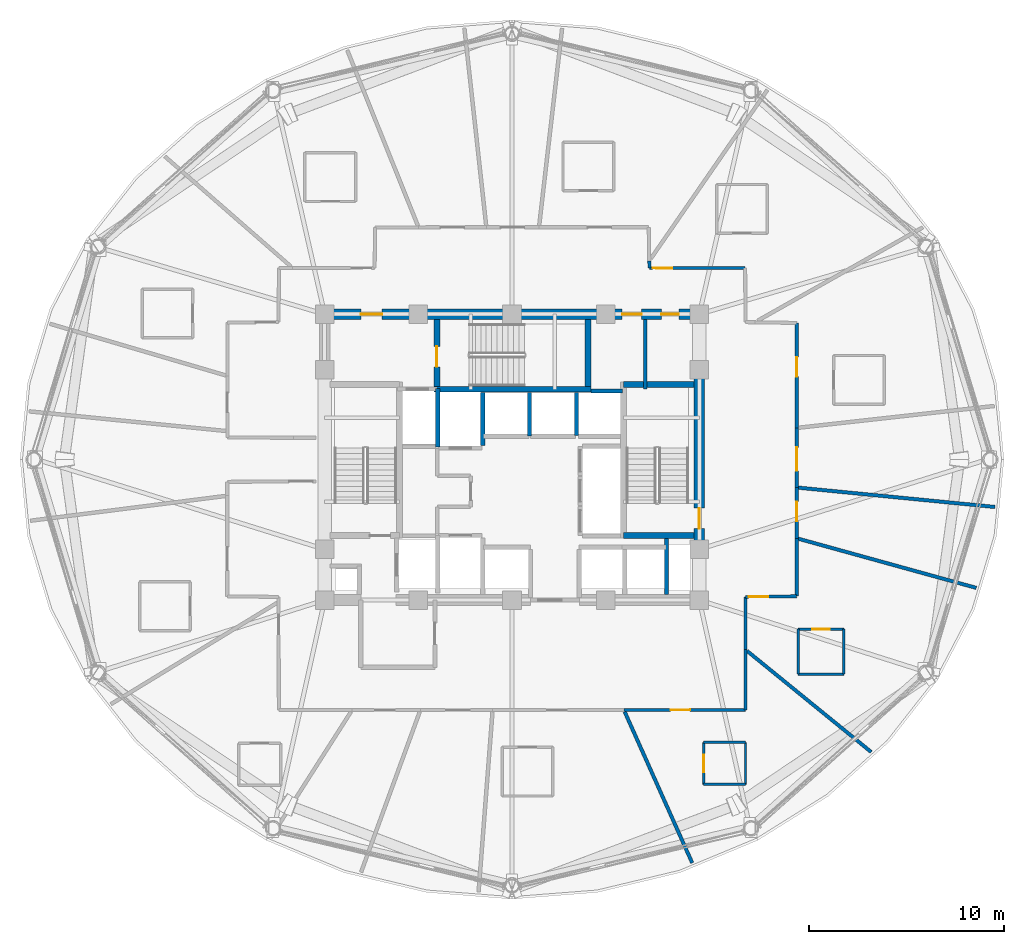
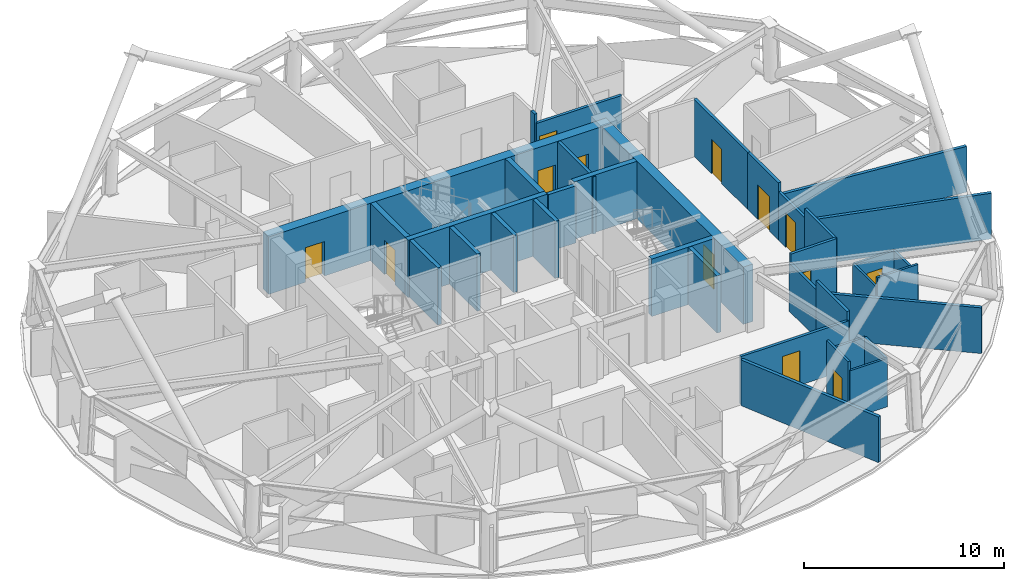
# One storey, part 9 of 13: 36 walls, 13 doors, 13 openings.
"""IFC4 building model written with IfcOpenShell, lengths in metres."""

from ifc_helpers import new_model, si_unit, direction, frame, frame_2d, origin, place, context, subcontext, project, spatial, rectangle, extrude, material, layer, layer_set, type_object, element, fill, save


model = new_model("IFC4")

# Units and contexts
model_context = context("Model", 3, precision=1e-05, world=origin(), true_north=direction((0.0, 1.0)))
body_context = subcontext(model_context, "Body", "Model", "MODEL_VIEW")
ifc_project = project(units=[si_unit("LENGTHUNIT", "METRE"), si_unit("AREAUNIT", "SQUARE_METRE"), si_unit("VOLUMEUNIT", "CUBIC_METRE"), si_unit("PLANEANGLEUNIT", "RADIAN"), si_unit("MASSUNIT", "GRAM", prefix="KILO")], contexts=[model_context])

# Site, building, storey
site_placement = place(None, origin())
site = spatial("IfcSite", under=ifc_project, at=site_placement, CompositionType="ELEMENT")
building_placement = place(site_placement, origin())
building = spatial("IfcBuilding", under=site, at=building_placement, Name="Vantalir Tower", CompositionType="ELEMENT")
storey_placement = place(building_placement, frame((0.0, 0.0, 172.199951171875)))
storey = spatial("IfcBuildingStorey", under=building, at=storey_placement, Name="L43", CompositionType="ELEMENT", Elevation=172.199951171875)

# Walls
ifc_material_1 = material(Name="Moisture-resistant en-suite partition", Category="gypsum")
ifc_layer_1 = layer(ifc_material_1, 0.125)
ifc_layer_set_1 = layer_set([ifc_layer_1], Name="Moisture-resistant en-suite partition")
wall_type_1 = type_object("IfcWallType", Name="WL-BATH-125", PredefinedType="PARTITIONING", material=ifc_layer_set_1)
for number, where, z_axis, x_axis, name in (
    (1, (41.31591796875, 8.35400390625, 0.0), (0.0, 0.0, 1.0), (1.0, 0.0, 0.0), "L43 En-suite 15 South Wall"),
    (2, (41.31591796875, 10.50390625, 0.0), (0.0, 0.0, 1.0), (1.0, 0.0, 0.0), "L43 En-suite 15 North Wall"),
):
    element("IfcWall", number, at=place(storey_placement, frame(where, z_axis=z_axis, x_axis=x_axis)), inside=storey, type_object=wall_type_1, Name=name, PredefinedType="PARTITIONING", context=body_context, shape_type="SweptSolid", body=[
        extrude(rectangle(XDim=2.150146484375, YDim=0.125, at=frame_2d((1.0751953125, 0.0))), origin(), (0.0, 0.0, 1.0), 2.93603515625),
    ])

# Wall, opening, door
wall_1_placement = place(storey_placement, frame((41.31591796875, 8.35400390625, 0.0), z_axis=(0.0, 0.0, 1.0), x_axis=(0.0, 1.0, 0.0)))
wall_1 = element("IfcWall", 3, at=wall_1_placement, inside=storey, type_object=wall_type_1, Name="L43 En-suite 15 West Wall", PredefinedType="PARTITIONING", context=body_context, shape_type="SweptSolid", body=[
    extrude(rectangle(XDim=2.14990234375, YDim=0.125, at=frame_2d((1.074951171875, 0.0))), origin(), (0.0, 0.0, 1.0), 3.47998046875),
])
opening_1_placement = place(wall_1_placement, frame((0.625, 0.0, 0.0)))
opening_1 = element("IfcOpeningElement", 4, at=opening_1_placement, cuts=wall_1, Name="Opening D-WC", PredefinedType="OPENING", context=body_context, shape_type="SweptSolid", body=[
    extrude(rectangle(XDim=0.89990234375, YDim=2.10009765625, at=frame_2d((0.449951171875, 1.050048828125))), frame((0.0, 0.072509765625, 0.0), z_axis=(0.0, -1.0, 0.0), x_axis=(1.0, 0.0, 0.0)), (0.0, 0.0, 1.0), 0.14501953125),
])
ifc_material_2 = material(Name="Moisture-resistant hardwood door", Category="wood")
door_type_1 = type_object("IfcDoorType", Name="DR-ENSUITE-900", OperationType="NOTDEFINED", PredefinedType="DOOR", material=ifc_material_2)
door_1_placement = place(opening_1_placement, frame((0.89990234375, 0.0, 0.0), z_axis=(0.0, 0.0, 1.0), x_axis=(-1.0, 0.0, 0.0)))
door_1 = element("IfcDoor", 5, at=door_1_placement, inside=storey, type_object=door_type_1, Name="L43 En-suite 15 Door", OperationType="SINGLE_SWING_LEFT", OverallHeight=2.10009765625, OverallWidth=0.89990234375, PredefinedType="DOOR", context=body_context, shape_type="SweptSolid", body=[
    extrude(rectangle(XDim=0.89990234375, YDim=2.10009765625, at=frame_2d((0.449951171875, 1.050048828125))), frame((0.0, 0.02490234375, 0.0), z_axis=(0.0, -1.0, 0.0), x_axis=(1.0, 0.0, 0.0)), (0.0, 0.0, 1.0), 0.050048828125),
])
fill(opening_1, door_1)

# Walls
wall_2_placement = place(storey_placement, frame((43.466064453125, 8.35400390625, 0.0), z_axis=(0.0, 0.0, 1.0), x_axis=(0.0, 1.0, 0.0)))
element("IfcWall", 6, at=wall_2_placement, inside=storey, type_object=wall_type_1, Name="L43 En-suite 15 East Wall", PredefinedType="PARTITIONING", context=body_context, shape_type="SweptSolid", body=[
    extrude(rectangle(XDim=2.14990234375, YDim=0.125, at=frame_2d((1.074951171875, 0.0))), origin(), (0.0, 0.0, 1.0), 2.93603515625),
])
wall_3_placement = place(storey_placement, frame((46.157958984375, 14.007080078125, 0.0), z_axis=(0.0, 0.0, 1.0), x_axis=(1.0, 0.0, 0.0)))
element("IfcWall", 7, at=wall_3_placement, inside=storey, type_object=wall_type_1, Name="L43 En-suite 16 South Wall", PredefinedType="PARTITIONING", context=body_context, shape_type="SweptSolid", body=[
    extrude(rectangle(XDim=2.35009765625, YDim=0.125, at=frame_2d((1.175048828125, 0.0))), origin(), (0.0, 0.0, 1.0), 3.47998046875),
])

# Wall, opening, door
wall_4_placement = place(storey_placement, frame((46.157958984375, 16.306884765625, 0.0), z_axis=(0.0, 0.0, 1.0), x_axis=(1.0, 0.0, 0.0)))
wall_4 = element("IfcWall", 8, at=wall_4_placement, inside=storey, type_object=wall_type_1, Name="L43 En-suite 16 North Wall", PredefinedType="PARTITIONING", context=body_context, shape_type="SweptSolid", body=[
    extrude(rectangle(XDim=2.35009765625, YDim=0.125, at=frame_2d((1.175048828125, 0.0))), origin(), (0.0, 0.0, 1.0), 2.93603515625),
])
opening_2_placement = place(wall_4_placement, frame((0.72509765625, 0.0, 0.0)))
opening_2 = element("IfcOpeningElement", 9, at=opening_2_placement, cuts=wall_4, Name="Opening D-WC", PredefinedType="OPENING", context=body_context, shape_type="SweptSolid", body=[
    extrude(rectangle(XDim=0.89990234375, YDim=2.10009765625, at=frame_2d((0.449951171875, 1.050048828125))), frame((0.0, 0.072509765625, 0.0), z_axis=(0.0, -1.0, 0.0), x_axis=(1.0, 0.0, 0.0)), (0.0, 0.0, 1.0), 0.14501953125),
])
door_2_placement = place(opening_2_placement, frame((0.89990234375, 0.0, 0.0), z_axis=(0.0, 0.0, 1.0), x_axis=(-1.0, 0.0, 0.0)))
door_2 = element("IfcDoor", 10, at=door_2_placement, inside=storey, type_object=door_type_1, Name="L43 En-suite 16 Door", OperationType="SINGLE_SWING_RIGHT", OverallHeight=2.10009765625, OverallWidth=0.89990234375, PredefinedType="DOOR", context=body_context, shape_type="SweptSolid", body=[
    extrude(rectangle(XDim=0.89990234375, YDim=2.10009765625, at=frame_2d((0.449951171875, 1.050048828125))), frame((0.0, 0.02490234375, 0.0), z_axis=(0.0, -1.0, 0.0), x_axis=(1.0, 0.0, 0.0)), (0.0, 0.0, 1.0), 0.050048828125),
])
fill(opening_2, door_2)

# Walls
for number, where, z_axis, x_axis, name in (
    (11, (46.157958984375, 14.007080078125, 0.0), (0.0, 0.0, 1.0), (0.0, 1.0, 0.0), "L43 En-suite 16 West Wall"),
    (12, (48.508056640625, 14.007080078125, 0.0), (0.0, 0.0, 1.0), (0.0, 1.0, 0.0), "L43 En-suite 16 East Wall"),
):
    element("IfcWall", number, at=place(storey_placement, frame(where, z_axis=z_axis, x_axis=x_axis)), inside=storey, type_object=wall_type_1, Name=name, PredefinedType="PARTITIONING", context=body_context, shape_type="SweptSolid", body=[
        extrude(rectangle(XDim=2.2998046875, YDim=0.125, at=frame_2d((1.14990234375, 0.0))), origin(), (0.0, 0.0, 1.0), 2.93603515625),
    ])

# Wall, openings, doors
ifc_material_3 = material(Name="Concrete C60/75", Category="concrete")
ifc_layer_2 = layer(ifc_material_3, 0.550048828125)
ifc_layer_set_2 = layer_set([ifc_layer_2], Name="Concrete C60/75")
wall_type_2 = type_object("IfcWallType", Name="WL-CORE-550", PredefinedType="SHEAR", material=ifc_layer_set_2)
wall_5_placement = place(storey_placement, frame((21.625, 32.449951171875, 0.0), z_axis=(0.0, 0.0, 1.0), x_axis=(1.0, 0.0, 0.0)))
wall_5 = element("IfcWall", 13, at=wall_5_placement, inside=storey, type_object=wall_type_2, Name="L43 Core Shear Wall North", PredefinedType="SHEAR", context=body_context, shape_type="SweptSolid", body=[
    extrude(rectangle(XDim=19.75, YDim=0.550048828125, at=frame_2d((9.875, 0.0))), origin(), (0.0, 0.0, 1.0), 3.5),
])
opening_3_placement = place(wall_5_placement, frame((2.125, 0.0, 0.0)))
opening_3 = element("IfcOpeningElement", 14, at=opening_3_placement, cuts=wall_5, Name="Opening D-FFL", PredefinedType="OPENING", context=body_context, shape_type="SweptSolid", body=[
    extrude(rectangle(XDim=1.10009765625, YDim=2.10009765625, at=frame_2d((0.550048828125, 1.050048828125))), frame((0.0, 0.284912109375, 0.0), z_axis=(0.0, -1.0, 0.0), x_axis=(1.0, 0.0, 0.0)), (0.0, 0.0, 1.0), 0.570068359375),
])
opening_4_placement = place(wall_5_placement, frame((15.514892578125, 0.0, 0.0)))
opening_4 = element("IfcOpeningElement", 15, at=opening_4_placement, cuts=wall_5, Name="Opening D-GUEST", PredefinedType="OPENING", context=body_context, shape_type="SweptSolid", body=[
    extrude(rectangle(XDim=1.0, YDim=2.10009765625, at=frame_2d((0.5, 1.050048828125))), frame((0.0, 0.284912109375, 0.0), z_axis=(0.0, -1.0, 0.0), x_axis=(1.0, 0.0, 0.0)), (0.0, 0.0, 1.0), 0.570068359375),
])
opening_5_placement = place(wall_5_placement, frame((17.52490234375, 0.0, 0.0)))
opening_5 = element("IfcOpeningElement", 16, at=opening_5_placement, cuts=wall_5, Name="Opening D-CR", PredefinedType="OPENING", context=body_context, shape_type="SweptSolid", body=[
    extrude(rectangle(XDim=0.89990234375, YDim=2.10009765625, at=frame_2d((0.449951171875, 1.050048828125))), frame((0.0, 0.284912109375, 0.0), z_axis=(0.0, -1.0, 0.0), x_axis=(1.0, 0.0, 0.0)), (0.0, 0.0, 1.0), 0.570068359375),
])
ifc_material_4 = material(Name="Fire-rated steel core service door", Category="steel")
door_type_2 = type_object("IfcDoorType", Name="DR-CORE-SERV-900", OperationType="NOTDEFINED", PredefinedType="DOOR", material=ifc_material_4)
door_3_placement = place(opening_5_placement, frame((0.89990234375, 0.0, 0.0), z_axis=(0.0, 0.0, 1.0), x_axis=(-1.0, 0.0, 0.0)))
door_3 = element("IfcDoor", 17, at=door_3_placement, inside=storey, type_object=door_type_2, Name="L43 Housekeeping and Linen Room Door", OperationType="SINGLE_SWING_RIGHT", OverallHeight=2.10009765625, OverallWidth=0.89990234375, PredefinedType="DOOR", context=body_context, shape_type="SweptSolid", body=[
    extrude(rectangle(XDim=0.89990234375, YDim=2.10009765625, at=frame_2d((0.449951171875, 1.050048828125))), frame((0.0, 0.02490234375, 0.0), z_axis=(0.0, -1.0, 0.0), x_axis=(1.0, 0.0, 0.0)), (0.0, 0.0, 1.0), 0.050048828125),
])
fill(opening_5, door_3)
ifc_material_5 = material(Name="Fire-rated acoustic steel door", Category="steel")
door_type_3 = type_object("IfcDoorType", Name="DR-FIRE-LOBBY-1100", OperationType="NOTDEFINED", PredefinedType="DOOR", material=ifc_material_5)
door_4_placement = place(opening_3_placement, frame((1.10009765625, 0.0, 0.0), z_axis=(0.0, 0.0, 1.0), x_axis=(-1.0, 0.0, 0.0)))
door_4 = element("IfcDoor", 18, at=door_4_placement, inside=storey, type_object=door_type_3, Name="L43 Firefighting Lobby East Access Door", OperationType="SINGLE_SWING_LEFT", OverallHeight=2.10009765625, OverallWidth=1.10009765625, PredefinedType="DOOR", context=body_context, shape_type="SweptSolid", body=[
    extrude(rectangle(XDim=1.10009765625, YDim=2.10009765625, at=frame_2d((0.550048828125, 1.050048828125))), frame((0.0, 0.02490234375, 0.0), z_axis=(0.0, -1.0, 0.0), x_axis=(1.0, 0.0, 0.0)), (0.0, 0.0, 1.0), 0.050048828125),
])
fill(opening_3, door_4)
ifc_material_6 = material(Name="Solid-core teak veneer acoustic fire door", Category="wood")
door_type_4 = type_object("IfcDoorType", Name="DR-GUEST-ENTRY-1000", OperationType="NOTDEFINED", PredefinedType="DOOR", material=ifc_material_6)
door_5_placement = place(opening_4_placement, frame((1.0, 0.0, 0.0), z_axis=(0.0, 0.0, 1.0), x_axis=(-1.0, 0.0, 0.0)))
door_5 = element("IfcDoor", 19, at=door_5_placement, inside=storey, type_object=door_type_4, Name="L43 High-Rise Lift Lobby Door", OperationType="SINGLE_SWING_LEFT", OverallHeight=2.10009765625, OverallWidth=1.0, PredefinedType="DOOR", context=body_context, shape_type="SweptSolid", body=[
    extrude(rectangle(XDim=1.0, YDim=2.10009765625, at=frame_2d((0.5, 1.050048828125))), frame((0.0, 0.02490234375, 0.0), z_axis=(0.0, -1.0, 0.0), x_axis=(1.0, 0.0, 0.0)), (0.0, 0.0, 1.0), 0.050048828125),
])
fill(opening_4, door_5)

# Wall, opening, door
wall_6_placement = place(storey_placement, frame((41.10009765625, 18.074951171875, 0.0), z_axis=(0.0, 0.0, 1.0), x_axis=(0.0, 1.0, 0.0)))
wall_6 = element("IfcWall", 20, at=wall_6_placement, inside=storey, type_object=wall_type_2, Name="L43 Core Shear Wall East", PredefinedType="SHEAR", context=body_context, shape_type="SweptSolid", body=[
    extrude(rectangle(XDim=14.10009765625, YDim=0.550048828125, at=frame_2d((7.050048828125, 0.0))), origin(), (0.0, 0.0, 1.0), 3.5),
])
opening_6_placement = place(wall_6_placement, frame((3.385009765625, 0.0, 0.0)))
opening_6 = element("IfcOpeningElement", 21, at=opening_6_placement, cuts=wall_6, Name="Opening D-ST", PredefinedType="OPENING", context=body_context, shape_type="SweptSolid", body=[
    extrude(rectangle(XDim=1.050048828125, YDim=2.10009765625, at=frame_2d((0.52490234375, 1.050048828125))), frame((0.0, 0.284912109375, 0.0), z_axis=(0.0, -1.0, 0.0), x_axis=(1.0, 0.0, 0.0)), (0.0, 0.0, 1.0), 0.570068359375),
])
ifc_material_7 = material(Name="Fire-rated steel door leaf", Category="steel")
door_type_5 = type_object("IfcDoorType", Name="DR-FIRE-STAIR-1050", OperationType="NOTDEFINED", PredefinedType="DOOR", material=ifc_material_7)
door_6_placement = place(opening_6_placement, origin())
door_6 = element("IfcDoor", 22, at=door_6_placement, inside=storey, type_object=door_type_5, Name="L43 Exit Stair ST2 Fire Door", OperationType="SINGLE_SWING_LEFT", OverallHeight=2.10009765625, OverallWidth=1.050048828125, PredefinedType="DOOR", context=body_context, shape_type="SweptSolid", body=[
    extrude(rectangle(XDim=1.050048828125, YDim=2.10009765625, at=frame_2d((0.52490234375, 1.050048828125))), frame((0.0, 0.02490234375, 0.0), z_axis=(0.0, -1.0, 0.0), x_axis=(1.0, 0.0, 0.0)), (0.0, 0.0, 1.0), 0.050048828125),
])
fill(opening_6, door_6)

# Wall
ifc_material_8 = material(Name="Fire-rated hotel corridor acoustic partition", Category="gypsum")
ifc_layer_3 = layer(ifc_material_8, 0.159912109375)
ifc_layer_set_3 = layer_set([ifc_layer_3], Name="Fire-rated hotel corridor acoustic partition")
wall_type_3 = type_object("IfcWallType", Name="WL-CORR-160", PredefinedType="PARTITIONING", material=ifc_layer_set_3)
wall_7_placement = place(storey_placement, frame((38.533935546875, 35.178955078125, 0.0), z_axis=(0.0, 0.0, 1.0), x_axis=(0.016764913799, -0.999859458957, 0.0)))
element("IfcWall", 23, at=wall_7_placement, inside=storey, type_object=wall_type_3, Name="L43 Corridor Partition 15", PredefinedType="PARTITIONING", context=body_context, shape_type="SweptSolid", body=[
    extrude(rectangle(XDim=0.364013671875, YDim=0.159912109375, at=frame_2d((0.18212890625, 0.0))), origin(), (0.0, 0.0, 1.0), 3.47998046875),
])

# Wall, opening, door
wall_8_placement = place(storey_placement, frame((38.5400390625, 34.81494140625, 0.0), z_axis=(0.0, 0.0, 1.0), x_axis=(0.999999029632, -0.001393102783, 0.0)))
wall_8 = element("IfcWall", 24, at=wall_8_placement, inside=storey, type_object=wall_type_3, Name="L43 Corridor Partition 16", PredefinedType="PARTITIONING", context=body_context, shape_type="SweptSolid", body=[
    extrude(rectangle(XDim=4.906982421875, YDim=0.159912109375, at=frame_2d((2.45361328125, 0.0))), origin(), (0.0, 0.0, 1.0), 2.93603515625),
])
opening_7_placement = place(wall_8_placement, frame((0.159912109375, 0.0, 0.0)))
opening_7 = element("IfcOpeningElement", 25, at=opening_7_placement, cuts=wall_8, Name="Opening D-GUEST", PredefinedType="OPENING", context=body_context, shape_type="SweptSolid", body=[
    extrude(rectangle(XDim=1.0, YDim=2.10009765625, at=frame_2d((0.5, 1.050048828125))), frame((0.0, 0.08984375, 0.0), z_axis=(0.0, -1.0, 0.0), x_axis=(1.0, 0.0, 0.0)), (0.0, 0.0, 1.0), 0.179931640625),
])
door_7_placement = place(opening_7_placement, origin())
door_7 = element("IfcDoor", 26, at=door_7_placement, inside=storey, type_object=door_type_4, Name="L43 Deluxe King Hotel Room 02 Door", OperationType="SINGLE_SWING_LEFT", OverallHeight=2.10009765625, OverallWidth=1.0, PredefinedType="DOOR", context=body_context, shape_type="SweptSolid", body=[
    extrude(rectangle(XDim=1.0, YDim=2.10009765625, at=frame_2d((0.5, 1.050048828125))), frame((0.0, 0.02490234375, 0.0), z_axis=(0.0, -1.0, 0.0), x_axis=(1.0, 0.0, 0.0)), (0.0, 0.0, 1.0), 0.050048828125),
])
fill(opening_7, door_7)

wall_9_placement = place(storey_placement, frame((46.090087890625, 32.0, 0.0), z_axis=(0.0, 0.0, 1.0), x_axis=(0.0, -1.0, 0.0)))
wall_9 = element("IfcWall", 27, at=wall_9_placement, inside=storey, type_object=wall_type_3, Name="L43 Corridor Partition 20", PredefinedType="PARTITIONING", context=body_context, shape_type="SweptSolid", body=[
    extrude(rectangle(XDim=5.3798828125, YDim=0.159912109375, at=frame_2d((2.68994140625, 0.0))), origin(), (0.0, 0.0, 1.0), 3.47998046875),
])
opening_8_placement = place(wall_9_placement, frame((1.7548828125, 0.0, 0.0)))
opening_8 = element("IfcOpeningElement", 28, at=opening_8_placement, cuts=wall_9, Name="Opening D-GUEST", PredefinedType="OPENING", context=body_context, shape_type="SweptSolid", body=[
    extrude(rectangle(XDim=1.0, YDim=2.10009765625, at=frame_2d((0.5, 1.050048828125))), frame((0.0, 0.08984375, 0.0), z_axis=(0.0, -1.0, 0.0), x_axis=(1.0, 0.0, 0.0)), (0.0, 0.0, 1.0), 0.179931640625),
])
door_8_placement = place(opening_8_placement, origin())
door_8 = element("IfcDoor", 29, at=door_8_placement, inside=storey, type_object=door_type_4, Name="L43 Twin Queen Hotel Room 01 Door", OperationType="SINGLE_SWING_RIGHT", OverallHeight=2.10009765625, OverallWidth=1.0, PredefinedType="DOOR", context=body_context, shape_type="SweptSolid", body=[
    extrude(rectangle(XDim=1.0, YDim=2.10009765625, at=frame_2d((0.5, 1.050048828125))), frame((0.0, 0.02490234375, 0.0), z_axis=(0.0, -1.0, 0.0), x_axis=(1.0, 0.0, 0.0)), (0.0, 0.0, 1.0), 0.050048828125),
])
fill(opening_8, door_8)

wall_10_placement = place(storey_placement, frame((46.090087890625, 26.6201171875, 0.0), z_axis=(0.0, 0.0, 1.0), x_axis=(0.0, -1.0, 0.0)))
wall_10 = element("IfcWall", 30, at=wall_10_placement, inside=storey, type_object=wall_type_3, Name="L43 Corridor Partition 21", PredefinedType="PARTITIONING", context=body_context, shape_type="SweptSolid", body=[
    extrude(rectangle(XDim=3.05322265625, YDim=0.159912109375, at=frame_2d((1.526611328125, 0.0))), origin(), (0.0, 0.0, 1.0), 3.47998046875),
])
opening_9_placement = place(wall_10_placement, frame((0.99609375, 0.0, 0.0)))
opening_9 = element("IfcOpeningElement", 31, at=opening_9_placement, cuts=wall_10, Name="Opening D-STE", PredefinedType="OPENING", context=body_context, shape_type="SweptSolid", body=[
    extrude(rectangle(XDim=1.199951171875, YDim=2.10009765625, at=frame_2d((0.60009765625, 1.050048828125))), frame((0.0, 0.08984375, 0.0), z_axis=(0.0, -1.0, 0.0), x_axis=(1.0, 0.0, 0.0)), (0.0, 0.0, 1.0), 0.179931640625),
])
ifc_material_9 = material(Name="Solid-core teak veneer suite entrance door", Category="wood")
door_type_6 = type_object("IfcDoorType", Name="DR-SUITE-ENTRY-1200", OperationType="NOTDEFINED", PredefinedType="DOOR", material=ifc_material_9)
door_9_placement = place(opening_9_placement, origin())
door_9 = element("IfcDoor", 32, at=door_9_placement, inside=storey, type_object=door_type_6, Name="L43 Executive Sky Boardroom 18 Door", OperationType="SINGLE_SWING_LEFT", OverallHeight=2.10009765625, OverallWidth=1.199951171875, PredefinedType="DOOR", context=body_context, shape_type="SweptSolid", body=[
    extrude(rectangle(XDim=1.199951171875, YDim=2.10009765625, at=frame_2d((0.60009765625, 1.050048828125))), frame((0.0, 0.02490234375, 0.0), z_axis=(0.0, -1.0, 0.0), x_axis=(1.0, 0.0, 0.0)), (0.0, 0.0, 1.0), 0.050048828125),
])
fill(opening_9, door_9)

wall_11_placement = place(storey_placement, frame((46.090087890625, 23.56689453125, 0.0), z_axis=(0.0, 0.0, 1.0), x_axis=(0.0, -1.0, 0.0)))
wall_11 = element("IfcWall", 33, at=wall_11_placement, inside=storey, type_object=wall_type_3, Name="L43 Corridor Partition 22", PredefinedType="PARTITIONING", context=body_context, shape_type="SweptSolid", body=[
    extrude(rectangle(XDim=2.600830078125, YDim=0.159912109375, at=frame_2d((1.30029296875, 0.0))), origin(), (0.0, 0.0, 1.0), 2.93603515625),
])
opening_10_placement = place(wall_11_placement, frame((0.72900390625, 0.0, 0.0)))
opening_10 = element("IfcOpeningElement", 34, at=opening_10_placement, cuts=wall_11, Name="Opening D-GUEST", PredefinedType="OPENING", context=body_context, shape_type="SweptSolid", body=[
    extrude(rectangle(XDim=1.0, YDim=2.10009765625, at=frame_2d((0.5, 1.050048828125))), frame((0.0, 0.08984375, 0.0), z_axis=(0.0, -1.0, 0.0), x_axis=(1.0, 0.0, 0.0)), (0.0, 0.0, 1.0), 0.179931640625),
])
door_10_placement = place(opening_10_placement, origin())
door_10 = element("IfcDoor", 35, at=door_10_placement, inside=storey, type_object=door_type_4, Name="L43 Executive Business Study 17 Door", OperationType="SINGLE_SWING_RIGHT", OverallHeight=2.10009765625, OverallWidth=1.0, PredefinedType="DOOR", context=body_context, shape_type="SweptSolid", body=[
    extrude(rectangle(XDim=1.0, YDim=2.10009765625, at=frame_2d((0.5, 1.050048828125))), frame((0.0, 0.02490234375, 0.0), z_axis=(0.0, -1.0, 0.0), x_axis=(1.0, 0.0, 0.0)), (0.0, 0.0, 1.0), 0.050048828125),
])
fill(opening_10, door_10)

# Wall
wall_12_placement = place(storey_placement, frame((46.090087890625, 20.966064453125, 0.0), z_axis=(0.0, 0.0, 1.0), x_axis=(0.0, -1.0, 0.0)))
element("IfcWall", 36, at=wall_12_placement, inside=storey, type_object=wall_type_3, Name="L43 Corridor Partition 23", PredefinedType="PARTITIONING", context=body_context, shape_type="SweptSolid", body=[
    extrude(rectangle(XDim=2.969970703125, YDim=0.159912109375, at=frame_2d((1.48486328125, 0.0))), origin(), (0.0, 0.0, 1.0), 3.47998046875),
])

# Wall, opening, door
wall_13_placement = place(storey_placement, frame((46.090087890625, 17.99609375, 0.0), z_axis=(0.0, 0.0, 1.0), x_axis=(-0.999905277486, -0.013763577108, 0.0)))
wall_13 = element("IfcWall", 37, at=wall_13_placement, inside=storey, type_object=wall_type_3, Name="L43 Corridor Partition 24", PredefinedType="PARTITIONING", context=body_context, shape_type="SweptSolid", body=[
    extrude(rectangle(XDim=2.625244140625, YDim=0.159912109375, at=frame_2d((1.3125, 0.0))), origin(), (0.0, 0.0, 1.0), 3.47998046875),
])
opening_11_placement = place(wall_13_placement, frame((1.465087890625, 0.0, 0.0)))
opening_11 = element("IfcOpeningElement", 38, at=opening_11_placement, cuts=wall_13, Name="Opening D-GUEST", PredefinedType="OPENING", context=body_context, shape_type="SweptSolid", body=[
    extrude(rectangle(XDim=1.0, YDim=2.10009765625, at=frame_2d((0.5, 1.050048828125))), frame((0.0, 0.08984375, 0.0), z_axis=(0.0, -1.0, 0.0), x_axis=(1.0, 0.0, 0.0)), (0.0, 0.0, 1.0), 0.179931640625),
])
door_11_placement = place(opening_11_placement, origin())
door_11 = element("IfcDoor", 39, at=door_11_placement, inside=storey, type_object=door_type_4, Name="L43 Twin Queen Hotel Room 16 Door", OperationType="SINGLE_SWING_LEFT", OverallHeight=2.10009765625, OverallWidth=1.0, PredefinedType="DOOR", context=body_context, shape_type="SweptSolid", body=[
    extrude(rectangle(XDim=1.0, YDim=2.10009765625, at=frame_2d((0.5, 1.050048828125))), frame((0.0, 0.02490234375, 0.0), z_axis=(0.0, -1.0, 0.0), x_axis=(1.0, 0.0, 0.0)), (0.0, 0.0, 1.0), 0.050048828125),
])
fill(opening_11, door_11)

# Walls
wall_14_placement = place(storey_placement, frame((43.465087890625, 17.9599609375, 0.0), z_axis=(0.0, 0.0, 1.0), x_axis=(-0.001175512345, -0.999999309085, 0.0)))
element("IfcWall", 40, at=wall_14_placement, inside=storey, type_object=wall_type_3, Name="L43 Corridor Partition 25", PredefinedType="PARTITIONING", context=body_context, shape_type="SweptSolid", body=[
    extrude(rectangle(XDim=2.699951171875, YDim=0.159912109375, at=frame_2d((1.35009765625, 0.0))), origin(), (0.0, 0.0, 1.0), 2.93603515625),
])
wall_15_placement = place(storey_placement, frame((43.4619140625, 15.260009765625, 0.0), z_axis=(0.0, 0.0, 1.0), x_axis=(-0.001263323113, -0.999999202007, 0.0)))
element("IfcWall", 41, at=wall_15_placement, inside=storey, type_object=wall_type_3, Name="L43 Corridor Partition 26", PredefinedType="PARTITIONING", context=body_context, shape_type="SweptSolid", body=[
    extrude(rectangle(XDim=3.092041015625, YDim=0.159912109375, at=frame_2d((1.5458984375, 0.0))), origin(), (0.0, 0.0, 1.0), 3.47998046875),
])

# Wall, opening, door
wall_16_placement = place(storey_placement, frame((43.4580078125, 12.16796875, 0.0), z_axis=(0.0, 0.0, 1.0), x_axis=(-0.999999889221, -0.000470698936, 0.0)))
wall_16 = element("IfcWall", 42, at=wall_16_placement, inside=storey, type_object=wall_type_3, Name="L43 Corridor Partition 27", PredefinedType="PARTITIONING", context=body_context, shape_type="SweptSolid", body=[
    extrude(rectangle(XDim=6.22412109375, YDim=0.159912109375, at=frame_2d((3.112060546875, 0.0))), origin(), (0.0, 0.0, 1.0), 2.93603515625),
])
opening_12_placement = place(wall_16_placement, frame((2.8349609375, 0.0, 0.0)))
opening_12 = element("IfcOpeningElement", 43, at=opening_12_placement, cuts=wall_16, Name="Opening D-GUEST", PredefinedType="OPENING", context=body_context, shape_type="SweptSolid", body=[
    extrude(rectangle(XDim=1.0, YDim=2.10009765625, at=frame_2d((0.5, 1.050048828125))), frame((0.0, 0.08984375, 0.0), z_axis=(0.0, -1.0, 0.0), x_axis=(1.0, 0.0, 0.0)), (0.0, 0.0, 1.0), 0.179931640625),
])
door_12_placement = place(opening_12_placement, origin())
door_12 = element("IfcDoor", 44, at=door_12_placement, inside=storey, type_object=door_type_4, Name="L43 Deluxe King Hotel Room 15 Door", OperationType="SINGLE_SWING_RIGHT", OverallHeight=2.10009765625, OverallWidth=1.0, PredefinedType="DOOR", context=body_context, shape_type="SweptSolid", body=[
    extrude(rectangle(XDim=1.0, YDim=2.10009765625, at=frame_2d((0.5, 1.050048828125))), frame((0.0, 0.02490234375, 0.0), z_axis=(0.0, -1.0, 0.0), x_axis=(1.0, 0.0, 0.0)), (0.0, 0.0, 1.0), 0.050048828125),
])
fill(opening_12, door_12)

# Walls
ifc_material_10 = material(Name="Concrete blockwork with fireboard lining", Category="masonry")
ifc_layer_4 = layer(ifc_material_10, 0.219970703125)
ifc_layer_set_4 = layer_set([ifc_layer_4], Name="Concrete blockwork with fireboard lining")
wall_type_4 = type_object("IfcWallType", Name="WL-FFL-220", PredefinedType="PARTITIONING", material=ifc_layer_set_4)
wall_17_placement = place(storey_placement, frame((30.0, 25.7099609375, 0.0), z_axis=(0.0, 0.0, 1.0), x_axis=(0.0, 1.0, 0.0)))
element("IfcWall", 45, at=wall_17_placement, inside=storey, type_object=wall_type_4, Name="L43 Service Lift SV2 East Shaft Wall", PredefinedType="PARTITIONING", context=body_context, shape_type="SweptSolid", body=[
    extrude(rectangle(XDim=2.72998046875, YDim=0.219970703125, at=frame_2d((1.364990234375, 0.0))), origin(), (0.0, 0.0, 1.0), 3.47509765625),
])
wall_18_placement = place(storey_placement, frame((32.39990234375, 26.199951171875, 0.0), z_axis=(0.0, 0.0, 1.0), x_axis=(0.0, 1.0, 0.0)))
element("IfcWall", 46, at=wall_18_placement, inside=storey, type_object=wall_type_4, Name="L43 High-Rise Lift PL-H1/H2 Shaft Divider", PredefinedType="PARTITIONING", context=body_context, shape_type="SweptSolid", body=[
    extrude(rectangle(XDim=2.239990234375, YDim=0.219970703125, at=frame_2d((1.1201171875, 0.0))), origin(), (0.0, 0.0, 1.0), 3.47509765625),
])
wall_19_placement = place(storey_placement, frame((34.800048828125, 26.22998046875, 0.0), z_axis=(0.0, 0.0, 1.0), x_axis=(0.0, 1.0, 0.0)))
element("IfcWall", 47, at=wall_19_placement, inside=storey, type_object=wall_type_4, Name="L43 High-Rise Lift PL-H2/H3 Shaft Divider", PredefinedType="PARTITIONING", context=body_context, shape_type="SweptSolid", body=[
    extrude(rectangle(XDim=2.2099609375, YDim=0.219970703125, at=frame_2d((1.10498046875, 0.0))), origin(), (0.0, 0.0, 1.0), 3.47509765625),
])
wall_20_placement = place(storey_placement, frame((39.419921875, 18.074951171875, 0.0), z_axis=(0.0, 0.0, 1.0), x_axis=(0.0, 1.0, 0.0)))
element("IfcWall", 48, at=wall_20_placement, inside=storey, type_object=wall_type_4, Name="L43 East MEP Riser Wall W", PredefinedType="PARTITIONING", context=body_context, shape_type="SweptSolid", body=[
    extrude(rectangle(XDim=2.875, YDim=0.219970703125, at=frame_2d((1.4375, 0.0))), origin(), (0.0, 0.0, 1.0), 3.47998046875),
])
wall_21_placement = place(storey_placement, frame((35.56005859375, 28.510009765625, 0.0), z_axis=(0.0, 0.0, 1.0), x_axis=(1.0, 0.0, 0.0)))
element("IfcWall", 49, at=wall_21_placement, inside=storey, type_object=wall_type_4, Name="L43 Lift PL-H3 Shaft Front Wall", PredefinedType="PARTITIONING", context=body_context, shape_type="SweptSolid", body=[
    extrude(rectangle(XDim=1.599853515625, YDim=0.219970703125, at=frame_2d((0.7998046875, 0.0))), origin(), (0.0, 0.0, 1.0), 3.47998046875),
])
wall_22_placement = place(storey_placement, frame((27.699951171875, 25.64990234375, 0.0), z_axis=(0.0, 0.0, 1.0), x_axis=(0.0, 1.0, 0.0)))
element("IfcWall", 50, at=wall_22_placement, inside=storey, type_object=wall_type_4, Name="L43 Fire Lift FL2 Dividing Wall", PredefinedType="PARTITIONING", context=body_context, shape_type="SweptSolid", body=[
    extrude(rectangle(XDim=3.0, YDim=0.219970703125, at=frame_2d((1.5, 0.0))), origin(), (0.0, 0.0, 1.0), 3.47998046875),
])
ifc_material_11 = material(Name="Twin-stud acoustic fire-rated gypsum partition", Category="gypsum")
ifc_layer_5 = layer(ifc_material_11, 0.179931640625)
ifc_layer_set_5 = layer_set([ifc_layer_5], Name="Twin-stud acoustic fire-rated gypsum partition")
wall_type_5 = type_object("IfcWallType", Name="WL-GUEST-180", PredefinedType="PARTITIONING", material=ifc_layer_set_5)
wall_23_placement = place(storey_placement, frame((38.340087890625, 28.6201171875, 0.0), z_axis=(0.0, 0.0, 1.0), x_axis=(0.0, 1.0, 0.0)))
element("IfcWall", 51, at=wall_23_placement, inside=storey, type_object=wall_type_5, Name="L43 High-Rise Lift Lobby East Wall", PredefinedType="PARTITIONING", context=body_context, shape_type="SweptSolid", body=[
    extrude(rectangle(XDim=3.554931640625, YDim=0.179931640625, at=frame_2d((1.77734375, 0.0))), origin(), (0.0, 0.0, 1.0), 3.47998046875),
])
wall_24_placement = place(storey_placement, frame((37.27490234375, 12.074951171875, 0.0), z_axis=(0.0, 0.0, 1.0), x_axis=(0.407826179391, -0.9130595859, 0.0)))
element("IfcWall", 52, at=wall_24_placement, inside=storey, type_object=wall_type_5, Name="L43 Radial Suite Partition 15", PredefinedType="PARTITIONING", context=body_context, shape_type="SweptSolid", body=[
    extrude(rectangle(XDim=8.47900390625, YDim=0.179931640625, at=frame_2d((4.239501953125, 0.0))), origin(), (0.0, 0.0, 1.0), 2.782958984375),
])
wall_25_placement = place(storey_placement, frame((43.5400390625, 15.196044921875, 0.0), z_axis=(0.0, 0.0, 1.0), x_axis=(0.775472262913, -0.631381635346, 0.0)))
element("IfcWall", 53, at=wall_25_placement, inside=storey, type_object=wall_type_5, Name="L43 Radial Suite Partition 16", PredefinedType="PARTITIONING", context=body_context, shape_type="SweptSolid", body=[
    extrude(rectangle(XDim=8.209228515625, YDim=0.179931640625, at=frame_2d((4.1044921875, 0.0))), origin(), (0.0, 0.0, 1.0), 2.782958984375),
])
wall_26_placement = place(storey_placement, frame((46.1650390625, 20.945068359375, 0.0), z_axis=(0.0, 0.0, 1.0), x_axis=(0.963859867001, -0.266409753546, 0.0)))
element("IfcWall", 54, at=wall_26_placement, inside=storey, type_object=wall_type_5, Name="L43 Radial Suite Partition 17", PredefinedType="PARTITIONING", context=body_context, shape_type="SweptSolid", body=[
    extrude(rectangle(XDim=9.47021484375, YDim=0.179931640625, at=frame_2d((4.735107421875, 0.0))), origin(), (0.0, 0.0, 1.0), 2.782958984375),
])
wall_27_placement = place(storey_placement, frame((46.1650390625, 23.55908203125, 0.0), z_axis=(0.0, 0.0, 1.0), x_axis=(0.995213600429, -0.097723536171, 0.0)))
element("IfcWall", 55, at=wall_27_placement, inside=storey, type_object=wall_type_5, Name="L43 Radial Suite Partition 18", PredefinedType="PARTITIONING", context=body_context, shape_type="SweptSolid", body=[
    extrude(rectangle(XDim=10.130615234375, YDim=0.179931640625, at=frame_2d((5.0654296875, 0.0))), origin(), (0.0, 0.0, 1.0), 2.782958984375),
])
ifc_material_12 = material(Name="Concrete C50/60", Category="concrete")
ifc_layer_6 = layer(ifc_material_12, 0.300048828125)
ifc_layer_set_6 = layer_set([ifc_layer_6], Name="Concrete C50/60")
wall_type_6 = type_object("IfcWallType", Name="WL-STAIR-300", PredefinedType="SHEAR", material=ifc_layer_set_6)
for number, where, z_axis, x_axis, name in (
    (56, (37.2099609375, 21.10009765625, 0.0), (0.0, 0.0, 1.0), (1.0, 0.0, 0.0), "L43 Stair ST2 South Wall"),
    (57, (37.2099609375, 28.85009765625, 0.0), (0.0, 0.0, 1.0), (1.0, 0.0, 0.0), "L43 Stair ST2 North Wall"),
):
    element("IfcWall", number, at=place(storey_placement, frame(where, z_axis=z_axis, x_axis=x_axis)), inside=storey, type_object=wall_type_6, Name=name, PredefinedType="SHEAR", context=body_context, shape_type="SweptSolid", body=[
        extrude(rectangle(XDim=3.614990234375, YDim=0.300048828125, at=frame_2d((1.8076171875, 0.0))), origin(), (0.0, 0.0, 1.0), 3.5),
    ])
wall_28_placement = place(storey_placement, frame((27.510009765625, 28.60009765625, 0.0), z_axis=(0.0, 0.0, 1.0), x_axis=(1.0, 0.0, 0.0)))
element("IfcWall", 58, at=wall_28_placement, inside=storey, type_object=wall_type_6, Name="L43 Stair ST3 South Wall", PredefinedType="SHEAR", context=body_context, shape_type="SweptSolid", body=[
    extrude(rectangle(XDim=8.030029296875, YDim=0.300048828125, at=frame_2d((4.01513671875, 0.0))), origin(), (0.0, 0.0, 1.0), 3.5),
])

# Wall, opening, door
wall_29_placement = place(storey_placement, frame((27.64990234375, 28.75, 0.0), z_axis=(0.0, 0.0, 1.0), x_axis=(0.0, 1.0, 0.0)))
wall_29 = element("IfcWall", 59, at=wall_29_placement, inside=storey, type_object=wall_type_6, Name="L43 Stair ST3 West Wall", PredefinedType="SHEAR", context=body_context, shape_type="SweptSolid", body=[
    extrude(rectangle(XDim=3.425048828125, YDim=0.300048828125, at=frame_2d((1.71240234375, 0.0))), origin(), (0.0, 0.0, 1.0), 3.5),
])
opening_13_placement = place(wall_29_placement, frame((1.0, 0.0, 0.0)))
opening_13 = element("IfcOpeningElement", 60, at=opening_13_placement, cuts=wall_29, Name="Opening D-ST", PredefinedType="OPENING", context=body_context, shape_type="SweptSolid", body=[
    extrude(rectangle(XDim=1.050048828125, YDim=2.10009765625, at=frame_2d((0.52490234375, 1.050048828125))), frame((0.0, 0.159912109375, 0.0), z_axis=(0.0, -1.0, 0.0), x_axis=(1.0, 0.0, 0.0)), (0.0, 0.0, 1.0), 0.320068359375),
])
door_13_placement = place(opening_13_placement, frame((1.050048828125, 0.0, 0.0), z_axis=(0.0, 0.0, 1.0), x_axis=(-1.0, 0.0, 0.0)))
door_13 = element("IfcDoor", 61, at=door_13_placement, inside=storey, type_object=door_type_5, Name="L43 Exit Stair ST3 Fire Door", OperationType="SINGLE_SWING_RIGHT", OverallHeight=2.10009765625, OverallWidth=1.050048828125, PredefinedType="DOOR", context=body_context, shape_type="SweptSolid", body=[
    extrude(rectangle(XDim=1.050048828125, YDim=2.10009765625, at=frame_2d((0.52490234375, 1.050048828125))), frame((0.0, 0.02490234375, 0.0), z_axis=(0.0, -1.0, 0.0), x_axis=(1.0, 0.0, 0.0)), (0.0, 0.0, 1.0), 0.050048828125),
])
fill(opening_13, door_13)

# Wall
wall_30_placement = place(storey_placement, frame((35.39990234375, 28.75, 0.0), z_axis=(0.0, 0.0, 1.0), x_axis=(0.0, 1.0, 0.0)))
element("IfcWall", 62, at=wall_30_placement, inside=storey, type_object=wall_type_6, Name="L43 Stair ST3 East Wall", PredefinedType="SHEAR", context=body_context, shape_type="SweptSolid", body=[
    extrude(rectangle(XDim=3.425048828125, YDim=0.300048828125, at=frame_2d((1.71240234375, 0.0))), origin(), (0.0, 0.0, 1.0), 3.5),
])

save(model, "model.ifc")
